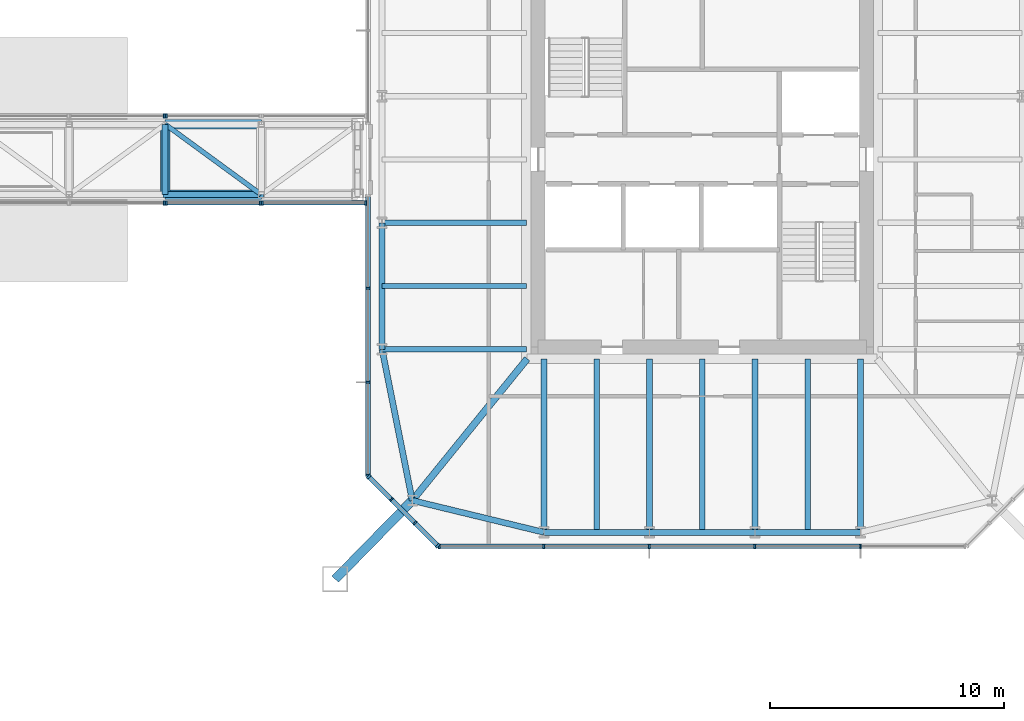
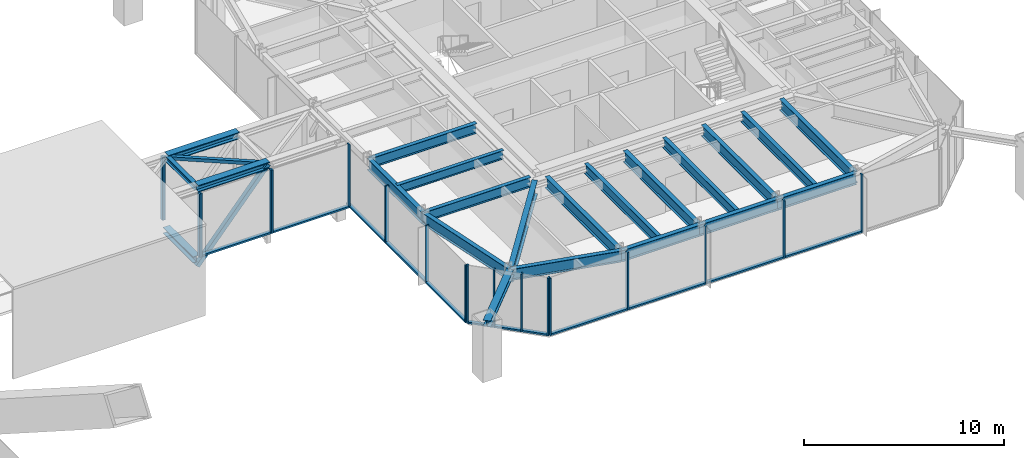
# One storey, part 10 of 28: 36 members, 19 beams, 8 elements without a shape of their own.
"""IFC4 building model written with IfcOpenShell, lengths in metres."""

import ifcopenshell
import ifcopenshell.guid

model = None  # the IFC model being written
_history = None  # IfcOwnerHistory: only IFC2X3 demands one
_inside = {}  # id of a spatial element -> (the spatial element, [elements in it])
_under = {}  # id of a project, library or spatial element -> (it, [spatial elements below it])
_declared = {}  # id of a project -> (the project, [libraries it declares])
_typed = {}  # id of a type object -> (the type object, [elements of that type])
_made_of = {}  # id of a material, layer set ... -> (it, [elements and type objects made of it])


def new_model(schema):
    """Start an empty IFC model of exactly this schema.

    Asked for "IFC4X3", IfcOpenShell would pick the latest addendum, in which some entities
    have other attributes; the version numbers below select the first issue.
    IFC2X3 requires an IfcOwnerHistory on every rooted entity: one is made here for all.
    """
    global model, _history
    if schema == "IFC4X3":
        model = ifcopenshell.file(schema_version=(4, 3, 0, 0))
    else:
        model = ifcopenshell.file(schema=schema)
    _inside.clear()
    _under.clear()
    _declared.clear()
    _typed.clear()
    _made_of.clear()
    _history = None
    if model.schema == "IFC2X3":
        org = make("IfcOrganization", Name="unknown")
        user = make(
            "IfcPersonAndOrganization",
            ThePerson=make("IfcPerson", FamilyName="unknown"),
            TheOrganization=org,
        )
        app = make(
            "IfcApplication",
            ApplicationDeveloper=org,
            Version="unknown",
            ApplicationFullName="unknown",
            ApplicationIdentifier="unknown",
        )
        _history = make(
            "IfcOwnerHistory",
            OwningUser=user,
            OwningApplication=app,
            ChangeAction="ADDED",
            CreationDate=0,
        )
    return model


def make(cls, **values):
    """One entity of the class cls with the attributes given. An attribute that is None is left unset."""
    return model.create_entity(
        cls, **{name: value for name, value in values.items() if value is not None}
    )


def rooted(cls, **values):
    """An entity with a GlobalId (a new one), such as an element, a storey or a relation."""
    return make(cls, GlobalId=ifcopenshell.guid.new(), OwnerHistory=_history, **values)


def si_unit(unit_type, name, prefix=None):
    """IfcSIUnit, for example si_unit("LENGTHUNIT", "METRE", prefix="MILLI")."""
    return make("IfcSIUnit", UnitType=unit_type, Prefix=prefix, Name=name)


def assignment(units):
    """IfcUnitAssignment: the units of a project."""
    return None if units is None else make("IfcUnitAssignment", Units=units)


def point(xyz):
    """IfcCartesianPoint."""
    return None if xyz is None else make("IfcCartesianPoint", Coordinates=xyz)


def direction(xyz):
    """IfcDirection."""
    return None if xyz is None else make("IfcDirection", DirectionRatios=xyz)


def frame(location, z_axis=None, x_axis=None):
    """IfcAxis2Placement3D, a coordinate frame: its origin and axes. An axis left out is left unset."""
    return make(
        "IfcAxis2Placement3D",
        Location=point(location),
        Axis=direction(z_axis),
        RefDirection=direction(x_axis),
    )


def frame_2d(location, x_axis=None):
    """IfcAxis2Placement2D, a coordinate frame in the plane: its origin and x axis."""
    return make(
        "IfcAxis2Placement2D", Location=point(location), RefDirection=direction(x_axis)
    )


def origin():
    """The frame at (0, 0, 0) with its axes left unset."""
    return frame((0.0, 0.0, 0.0))


def origin_2d():
    """The frame at (0, 0) in the plane with its x axis left unset."""
    return frame_2d((0.0, 0.0))


def place(relative_to, where):
    """IfcLocalPlacement: puts the frame where relative to a parent placement (None: the world)."""
    return make(
        "IfcLocalPlacement", PlacementRelTo=relative_to, RelativePlacement=where
    )


def context(
    kind, dimensions, precision=None, world=None, true_north=None, identifier=None
):
    """IfcGeometricRepresentationContext, for example the 3D "Model" context."""
    return make(
        "IfcGeometricRepresentationContext",
        ContextIdentifier=identifier,
        ContextType=kind,
        CoordinateSpaceDimension=dimensions,
        Precision=precision,
        WorldCoordinateSystem=world,
        TrueNorth=true_north,
    )


def subcontext(parent, identifier, kind, view, scale=None):
    """IfcGeometricRepresentationSubContext, for example "Body" below "Model"."""
    return make(
        "IfcGeometricRepresentationSubContext",
        ContextIdentifier=identifier,
        ContextType=kind,
        ParentContext=parent,
        TargetScale=scale,
        TargetView=view,
    )


def project(units=None, contexts=None):
    """IfcProject with its units and contexts."""
    return rooted(
        "IfcProject",
        Name="project",
        RepresentationContexts=contexts,
        UnitsInContext=assignment(units),
    )


def spatial(cls, under=None, at=None, **own):
    """A site, building, storey or space (cls), placed at a placement, below another one or the project."""
    s = rooted(cls, ObjectPlacement=at, **own)
    if under is not None:
        _under.setdefault(under.id(), (under, []))[1].append(s)
    return s


def profile(cls, at=None, kind="AREA", **sizes):
    """A parametric profile (cls). Its sizes go by their IFC names, for example OverallWidth=200.0."""
    return make(cls, ProfileType=kind, Position=at, **sizes)


def rectangle(**sizes):
    """IfcRectangleProfileDef."""
    return profile("IfcRectangleProfileDef", **sizes)


def hollow_rectangle(**sizes):
    """IfcRectangleHollowProfileDef."""
    return profile("IfcRectangleHollowProfileDef", **sizes)


def i_section(**sizes):
    """IfcIShapeProfileDef."""
    return profile("IfcIShapeProfileDef", **sizes)


def extrude(swept, where, along, depth):
    """IfcExtrudedAreaSolid: the profile swept, set in the frame where, extruded along a direction by depth."""
    return make(
        "IfcExtrudedAreaSolid",
        SweptArea=swept,
        Position=where,
        ExtrudedDirection=direction(along),
        Depth=depth,
    )


def shape(context_of_items, identifier, shape_type, items):
    """IfcShapeRepresentation: the items that make up one representation, for example the "Body"."""
    return make(
        "IfcShapeRepresentation",
        ContextOfItems=context_of_items,
        RepresentationIdentifier=identifier,
        RepresentationType=shape_type,
        Items=items,
    )


def material(Name=None, Category=None):
    """IfcMaterial."""
    return make("IfcMaterial", Name=Name, Category=Category)


def material_profile(
    of_material, cross_section, Name=None, Category=None, Priority=None
):
    """IfcMaterialProfile: a cross section and its material."""
    return make(
        "IfcMaterialProfile",
        Name=Name,
        Material=of_material,
        Profile=cross_section,
        Priority=Priority,
        Category=Category,
    )


def profile_set(profiles, Name=None, composite=None):
    """IfcMaterialProfileSet."""
    return make(
        "IfcMaterialProfileSet",
        Name=Name,
        MaterialProfiles=profiles,
        CompositeProfile=composite,
    )


def made_of(thing, what):
    """Note that an element or type object is made of a material, layer set ...; save() writes the relation."""
    if what is not None:
        _made_of.setdefault(what.id(), (what, []))[1].append(thing)
    return thing


def type_object(cls, material=None, **own):
    """A type object (cls), such as IfcWallType, which elements share."""
    return made_of(rooted(cls, **own), material)


def element(
    cls,
    number,
    at=None,
    inside=None,
    cuts=None,
    type_object=None,
    material=None,
    context=None,
    identifier="Body",
    shape_type=None,
    held_by="IfcProductDefinitionShape",
    body=None,
    shapes=None,
    **own,
):
    """One element of the class cls, such as IfcWall. Its Tag is "e" and its number.

    at: its placement. inside: the storey or other place that contains it. cuts: it is an
    opening in that element (IfcRelVoidsElement). A single representation is given by context,
    identifier, shape_type and body (its items); several are given by shapes. held_by: the class
    of the entity that holds the representations. save() writes the other relations.
    """
    e = rooted(cls, Tag="e%d" % number, ObjectPlacement=at, **own)
    if body is not None:
        shapes = [shape(context, identifier, shape_type, body)]
    if shapes is not None:
        e.Representation = make(held_by, Representations=shapes)
    if inside is not None:
        _inside.setdefault(inside.id(), (inside, []))[1].append(e)
    if cuts is not None:
        rooted(
            "IfcRelVoidsElement", RelatingBuildingElement=cuts, RelatedOpeningElement=e
        )
    if type_object is not None:
        _typed.setdefault(type_object.id(), (type_object, []))[1].append(e)
    return made_of(e, material)


def aggregate(whole, parts):
    """IfcRelAggregates: a whole, such as a stair, and the parts it consists of."""
    return rooted("IfcRelAggregates", RelatingObject=whole, RelatedObjects=parts)


def save(model, path):
    """Write the relations noted so far, then the file.

    IfcRelAggregates (storeys below a building ...), IfcRelContainedInSpatialStructure (elements
    in a storey), IfcRelDefinesByType, IfcRelAssociatesMaterial and IfcRelDeclares: one each for
    every whole, place, type object, material and project.
    """
    for whole, parts in _under.values():
        aggregate(whole, parts)
    for where, things in _inside.values():
        rooted(
            "IfcRelContainedInSpatialStructure",
            RelatedElements=things,
            RelatingStructure=where,
        )
    for kind, things in _typed.values():
        rooted("IfcRelDefinesByType", RelatedObjects=things, RelatingType=kind)
    for what, things in _made_of.values():
        rooted("IfcRelAssociatesMaterial", RelatedObjects=things, RelatingMaterial=what)
    for by, libraries in _declared.values():
        rooted("IfcRelDeclares", RelatingContext=by, RelatedDefinitions=libraries)
    model.write(path)


model = new_model("IFC4")

# Units and contexts
model_context = context("Model", 3, precision=1e-05, world=origin(), true_north=direction((0.0, 1.0)))
body_context = subcontext(model_context, "Body", "Model", "MODEL_VIEW")
ifc_project = project(units=[si_unit("LENGTHUNIT", "METRE"), si_unit("AREAUNIT", "SQUARE_METRE"), si_unit("VOLUMEUNIT", "CUBIC_METRE"), si_unit("PLANEANGLEUNIT", "RADIAN"), si_unit("MASSUNIT", "GRAM", prefix="KILO")], contexts=[model_context])

# Site, building, storey
site_placement = place(None, origin())
site = spatial("IfcSite", under=ifc_project, at=site_placement, CompositionType="ELEMENT")
building_placement = place(site_placement, origin())
building = spatial("IfcBuilding", under=site, at=building_placement, Name="Iwan Alto Co-Living Towers", CompositionType="ELEMENT")
storey_placement = place(building_placement, frame((0.0, 0.0, 98.0)))
storey = spatial("IfcBuildingStorey", under=building, at=storey_placement, Name="L26", CompositionType="ELEMENT", Elevation=98.0)

# Beams
ifc_material_1 = material(Name="Steel ASTM A992 Gr 50", Category="steel")
ifc_material_profile_1 = material_profile(ifc_material_1, i_section(OverallWidth=0.393798828125, OverallDepth=0.3759765625, WebThickness=0.017333984375, FlangeThickness=0.027587890625, at=origin_2d()), Name="W14X145")
ifc_profile_set_1 = profile_set([ifc_material_profile_1], Name="Steel ASTM A992 Gr 50")
beam_type_1 = type_object("IfcBeamType", Name="BRIDGE FLOOR BEAM W14X145", PredefinedType="BEAM", material=ifc_profile_set_1)
beam_1_placement = place(storey_placement, frame((40.10009765625, -1.5, -0.387939453125), z_axis=(0.0, 1.0, 0.0), x_axis=(-1.0, 0.0, 0.0)))
element("IfcBeam", 1, at=beam_1_placement, inside=storey, type_object=beam_type_1, Name="BR1 floor beam 3", PredefinedType="BEAM", context=body_context, shape_type="SweptSolid", body=[
    extrude(i_section(OverallWidth=0.393798828125, OverallDepth=0.3759765625, WebThickness=0.017333984375, FlangeThickness=0.027587890625, at=origin_2d()), origin(), (0.0, 0.0, 1.0), 3.0),
])
ifc_material_2 = material(Name="Steel ASTM A992 Gr 50", Category="steel")
ifc_material_profile_2 = material_profile(ifc_material_2, i_section(OverallWidth=0.25390625, OverallDepth=0.307373046875, WebThickness=0.0087890625, FlangeThickness=0.0146484375, at=origin_2d()), Name="W12X53")
ifc_profile_set_2 = profile_set([ifc_material_profile_2], Name="Steel ASTM A992 Gr 50")
beam_type_2 = type_object("IfcBeamType", Name="BRIDGE ROOF BEAM W12X53", PredefinedType="BEAM", material=ifc_profile_set_2)
beam_2_placement = place(storey_placement, frame((40.10009765625, -1.5, 4.0), z_axis=(0.0, 1.0, 0.0), x_axis=(-1.0, 0.0, 0.0)))
element("IfcBeam", 2, at=beam_2_placement, inside=storey, type_object=beam_type_2, Name="BR1 roof beam 3", PredefinedType="BEAM", context=body_context, shape_type="SweptSolid", body=[
    extrude(i_section(OverallWidth=0.25390625, OverallDepth=0.307373046875, WebThickness=0.0087890625, FlangeThickness=0.0146484375, at=origin_2d()), origin(), (0.0, 0.0, 1.0), 3.0),
])

# Members
ifc_material_3 = material(Name="Steel ASTM A500 Gr C", Category="steel")
ifc_material_profile_3 = material_profile(ifc_material_3, hollow_rectangle(XDim=0.203125, YDim=0.203125, WallThickness=0.01171875, at=origin_2d()), Name="HSS8X8X1/2")
ifc_profile_set_3 = profile_set([ifc_material_profile_3], Name="Steel ASTM A500 Gr C")
member_type_1 = type_object("IfcMemberType", Name="BRIDGE TOP LATERAL BRACE HSS8X8X1/2", PredefinedType="BRACE", material=ifc_profile_set_3)
member_1_placement = place(storey_placement, frame((40.10009765625, 1.5, 4.0), z_axis=(0.807020271008, -0.590523735494, 0.0), x_axis=(0.590523735494, 0.807020271008, 0.0)))
element("IfcMember", 3, at=member_1_placement, inside=storey, type_object=member_type_1, Name="BR1 top lateral brace 3", PredefinedType="BRACE", context=body_context, shape_type="SweptSolid", body=[
    extrude(hollow_rectangle(XDim=0.203125, YDim=0.203125, WallThickness=0.01171875, at=origin_2d()), origin(), (0.0, 0.0, 1.0), 5.080322265625),
])
ifc_material_4 = material(Name="Steel ASTM A992 Gr 50", Category="steel")
ifc_material_profile_4 = material_profile(ifc_material_4, i_section(OverallWidth=0.40380859375, OverallDepth=0.406494140625, WebThickness=0.027099609375, FlangeThickness=0.043701171875, at=origin_2d()), Name="W14X233")
ifc_profile_set_4 = profile_set([ifc_material_profile_4], Name="Steel ASTM A992 Gr 50")
member_type_2 = type_object("IfcMemberType", Name="BRIDGE TRUSS CHORD W14X233", PredefinedType="CHORD", material=ifc_profile_set_4)
for number, where, z_axis, x_axis, name in (
    (4, (40.10009765625, -1.5, 4.0), (1.0, 0.0, 0.0), (0.0, 1.0, 0.0), "BR1 truss S top chord 3"),
    (5, (40.10009765625, 1.5, 4.0), (1.0, 0.0, 0.0), (0.0, 1.0, 0.0), "BR1 truss N top chord 3"),
):
    element("IfcMember", number, at=place(storey_placement, frame(where, z_axis=z_axis, x_axis=x_axis)), inside=storey, type_object=member_type_2, Name=name, PredefinedType="CHORD", context=body_context, shape_type="SweptSolid", body=[
        extrude(i_section(OverallWidth=0.40380859375, OverallDepth=0.406494140625, WebThickness=0.027099609375, FlangeThickness=0.043701171875, at=origin_2d()), origin(), (0.0, 0.0, 1.0), 4.099853515625),
    ])
ifc_material_5 = material(Name="Steel ASTM A500 Gr C", Category="steel")
ifc_material_profile_5 = material_profile(ifc_material_5, hollow_rectangle(XDim=0.25390625, YDim=0.25390625, WallThickness=0.01171875, at=origin_2d()), Name="HSS10X10X1/2")
ifc_profile_set_5 = profile_set([ifc_material_profile_5], Name="Steel ASTM A500 Gr C")
member_type_3 = type_object("IfcMemberType", Name="BRIDGE TRUSS WEB HSS10X10X1/2", PredefinedType="BRACE", material=ifc_profile_set_5)
member_2_placement = place(storey_placement, frame((40.10009765625, -1.5, -0.779052734375), z_axis=(0.651113814296, 0.0, 0.75898010569), x_axis=(0.0, 1.0, 0.0)))
element("IfcMember", 6, at=member_2_placement, inside=storey, type_object=member_type_3, Name="BR1 truss S diagonal 3", PredefinedType="BRACE", context=body_context, shape_type="SweptSolid", body=[
    extrude(hollow_rectangle(XDim=0.25390625, YDim=0.25390625, WallThickness=0.01171875, at=origin_2d()), origin(), (0.0, 0.0, 1.0), 6.296630859375),
])

# Curtain wall, members
ifc_material_6 = material(Name="Bronze aluminium unitised frame", Category="aluminium")
curtain_wall_type_1 = type_object("IfcCurtainWallType", Name="CURTAIN WALL CW-C", PredefinedType="NOTDEFINED", material=ifc_material_6)
curtain_wall_1_placement = place(storey_placement, origin())
curtain_wall_1 = element("IfcCurtainWall", 7, at=curtain_wall_1_placement, inside=storey, type_object=curtain_wall_type_1, Name="T2 curtain wall S L26", PredefinedType="NOTDEFINED")
ifc_material_7 = material(Name="Aluminium 6063-T6 bronze anodised", Category="aluminium")
ifc_material_profile_6 = material_profile(ifc_material_7, rectangle(XDim=0.199951171875, YDim=0.080078125, at=origin_2d()), Name="AL 80X200")
ifc_profile_set_6 = profile_set([ifc_material_profile_6], Name="Aluminium 6063-T6 bronze anodised")
member_type_4 = type_object("IfcMemberType", Name="CW-C MULLION 80X200", PredefinedType="MULLION", material=ifc_profile_set_6)
member_3_placement = place(storey_placement, frame((51.7900390625, -16.5, 0.0), z_axis=(0.0, 0.0, 1.0), x_axis=(0.0, 1.0, 0.0)))
member_3 = element("IfcMember", 8, at=member_3_placement, type_object=member_type_4, Name="CW-C mullion 1", PredefinedType="MULLION", context=body_context, shape_type="SweptSolid", body=[
    extrude(rectangle(XDim=0.199951171875, YDim=0.080078125, at=origin_2d()), origin(), (0.0, 0.0, 1.0), 3.5),
])
member_4_placement = place(storey_placement, frame((56.25, -16.5, 0.0), z_axis=(0.0, 0.0, 1.0), x_axis=(0.0, 1.0, 0.0)))
member_4 = element("IfcMember", 9, at=member_4_placement, type_object=member_type_4, Name="CW-C mullion 2", PredefinedType="MULLION", context=body_context, shape_type="SweptSolid", body=[
    extrude(rectangle(XDim=0.199951171875, YDim=0.080078125, at=origin_2d()), origin(), (0.0, 0.0, 1.0), 3.5),
])
member_5_placement = place(storey_placement, frame((60.75, -16.5, 0.0), z_axis=(0.0, 0.0, 1.0), x_axis=(0.0, 1.0, 0.0)))
member_5 = element("IfcMember", 10, at=member_5_placement, type_object=member_type_4, Name="CW-C mullion 3", PredefinedType="MULLION", context=body_context, shape_type="SweptSolid", body=[
    extrude(rectangle(XDim=0.199951171875, YDim=0.080078125, at=origin_2d()), origin(), (0.0, 0.0, 1.0), 3.5),
])
member_6_placement = place(storey_placement, frame((65.25, -16.5, 0.0), z_axis=(0.0, 0.0, 1.0), x_axis=(0.0, 1.0, 0.0)))
member_6 = element("IfcMember", 11, at=member_6_placement, type_object=member_type_4, Name="CW-C mullion 4", PredefinedType="MULLION", context=body_context, shape_type="SweptSolid", body=[
    extrude(rectangle(XDim=0.199951171875, YDim=0.080078125, at=origin_2d()), origin(), (0.0, 0.0, 1.0), 3.5),
])
member_7_placement = place(storey_placement, frame((69.75, -16.5, 0.0), z_axis=(0.0, 0.0, 1.0), x_axis=(0.0, 1.0, 0.0)))
member_7 = element("IfcMember", 12, at=member_7_placement, type_object=member_type_4, Name="CW-C mullion 5", PredefinedType="MULLION", context=body_context, shape_type="SweptSolid", body=[
    extrude(rectangle(XDim=0.199951171875, YDim=0.080078125, at=origin_2d()), origin(), (0.0, 0.0, 1.0), 3.5),
])

curtain_wall_2_placement = place(storey_placement, origin())
curtain_wall_2 = element("IfcCurtainWall", 13, at=curtain_wall_2_placement, inside=storey, type_object=curtain_wall_type_1, Name="T2 curtain wall W L26 part 2", PredefinedType="NOTDEFINED")
member_8_placement = place(storey_placement, frame((48.75, -5.5, 0.0), z_axis=(0.0, 0.0, 1.0), x_axis=(1.0, 0.0, 0.0)))
member_8 = element("IfcMember", 14, at=member_8_placement, type_object=member_type_4, Name="CW-C mullion 2", PredefinedType="MULLION", context=body_context, shape_type="SweptSolid", body=[
    extrude(rectangle(XDim=0.199951171875, YDim=0.080078125, at=origin_2d()), origin(), (0.0, 0.0, 1.0), 3.5),
])
member_9_placement = place(storey_placement, frame((48.75, -9.5, 0.0), z_axis=(0.0, 0.0, 1.0), x_axis=(1.0, 0.0, 0.0)))
member_9 = element("IfcMember", 15, at=member_9_placement, type_object=member_type_4, Name="CW-C mullion 3", PredefinedType="MULLION", context=body_context, shape_type="SweptSolid", body=[
    extrude(rectangle(XDim=0.199951171875, YDim=0.080078125, at=origin_2d()), origin(), (0.0, 0.0, 1.0), 3.5),
])
member_10_placement = place(storey_placement, frame((48.75, -13.4599609375, 0.0), z_axis=(0.0, 0.0, 1.0), x_axis=(1.0, 0.0, 0.0)))
member_10 = element("IfcMember", 16, at=member_10_placement, type_object=member_type_4, Name="CW-C mullion 4", PredefinedType="MULLION", context=body_context, shape_type="SweptSolid", body=[
    extrude(rectangle(XDim=0.199951171875, YDim=0.080078125, at=origin_2d()), origin(), (0.0, 0.0, 1.0), 3.5),
])

# Member
ifc_material_8 = material(Name="Aluminium 6063-T6 bronze anodised", Category="aluminium")
ifc_material_profile_7 = material_profile(ifc_material_8, rectangle(XDim=0.199951171875, YDim=0.10009765625, at=origin_2d()), Name="AL 200X100")
ifc_profile_set_7 = profile_set([ifc_material_profile_7], Name="Aluminium 6063-T6 bronze anodised")
member_type_5 = type_object("IfcMemberType", Name="CW-C TRANSOM 200X100", PredefinedType="USERDEFINED", material=ifc_profile_set_7)
member_11_placement = place(storey_placement, frame((51.830078125, -16.5, 0.050048828125), z_axis=(1.0, 0.0, 0.0), x_axis=(0.0, 1.0, 0.0)))
member_11 = element("IfcMember", 17, at=member_11_placement, type_object=member_type_5, Name="CW-C transom 1.1", ObjectType="TRANSOM", PredefinedType="USERDEFINED", context=body_context, shape_type="SweptSolid", body=[
    extrude(rectangle(XDim=0.199951171875, YDim=0.10009765625, at=origin_2d()), origin(), (0.0, 0.0, 1.0), 4.3798828125),
])

member_12_placement = place(storey_placement, frame((56.2900390625, -16.5, 0.050048828125), z_axis=(1.0, 0.0, 0.0), x_axis=(0.0, 1.0, 0.0)))
member_12 = element("IfcMember", 18, at=member_12_placement, type_object=member_type_5, Name="CW-C transom 2.1", ObjectType="TRANSOM", PredefinedType="USERDEFINED", context=body_context, shape_type="SweptSolid", body=[
    extrude(rectangle(XDim=0.199951171875, YDim=0.10009765625, at=origin_2d()), origin(), (0.0, 0.0, 1.0), 4.419921875),
])

member_13_placement = place(storey_placement, frame((60.7900390625, -16.5, 0.050048828125), z_axis=(1.0, 0.0, 0.0), x_axis=(0.0, 1.0, 0.0)))
member_13 = element("IfcMember", 19, at=member_13_placement, type_object=member_type_5, Name="CW-C transom 3.1", ObjectType="TRANSOM", PredefinedType="USERDEFINED", context=body_context, shape_type="SweptSolid", body=[
    extrude(rectangle(XDim=0.199951171875, YDim=0.10009765625, at=origin_2d()), origin(), (0.0, 0.0, 1.0), 4.419921875),
])

member_14_placement = place(storey_placement, frame((65.2900390625, -16.5, 0.050048828125), z_axis=(1.0, 0.0, 0.0), x_axis=(0.0, 1.0, 0.0)))
member_14 = element("IfcMember", 20, at=member_14_placement, type_object=member_type_5, Name="CW-C transom 4.1", ObjectType="TRANSOM", PredefinedType="USERDEFINED", context=body_context, shape_type="SweptSolid", body=[
    extrude(rectangle(XDim=0.199951171875, YDim=0.10009765625, at=origin_2d()), origin(), (0.0, 0.0, 1.0), 4.419921875),
])

aggregate(curtain_wall_1, [member_3, member_4, member_5, member_6, member_7, member_11, member_12, member_13, member_14])

member_15_placement = place(storey_placement, frame((48.75, -1.580078125, 0.050048828125), z_axis=(0.0, -1.0, 0.0), x_axis=(1.0, 0.0, 0.0)))
member_15 = element("IfcMember", 21, at=member_15_placement, type_object=member_type_5, Name="CW-C transom 1.1", ObjectType="TRANSOM", PredefinedType="USERDEFINED", context=body_context, shape_type="SweptSolid", body=[
    extrude(rectangle(XDim=0.199951171875, YDim=0.10009765625, at=origin_2d()), origin(), (0.0, 0.0, 1.0), 3.8798828125),
])

member_16_placement = place(storey_placement, frame((48.75, -5.5400390625, 0.050048828125), z_axis=(0.0, -1.0, 0.0), x_axis=(1.0, 0.0, 0.0)))
member_16 = element("IfcMember", 22, at=member_16_placement, type_object=member_type_5, Name="CW-C transom 2.1", ObjectType="TRANSOM", PredefinedType="USERDEFINED", context=body_context, shape_type="SweptSolid", body=[
    extrude(rectangle(XDim=0.199951171875, YDim=0.10009765625, at=origin_2d()), origin(), (0.0, 0.0, 1.0), 3.919921875),
])

member_17_placement = place(storey_placement, frame((48.75, -9.5400390625, 0.050048828125), z_axis=(0.0, -1.0, 0.0), x_axis=(1.0, 0.0, 0.0)))
member_17 = element("IfcMember", 23, at=member_17_placement, type_object=member_type_5, Name="CW-C transom 3.1", ObjectType="TRANSOM", PredefinedType="USERDEFINED", context=body_context, shape_type="SweptSolid", body=[
    extrude(rectangle(XDim=0.199951171875, YDim=0.10009765625, at=origin_2d()), origin(), (0.0, 0.0, 1.0), 3.8798828125),
])

aggregate(curtain_wall_2, [member_8, member_9, member_10, member_15, member_16, member_17])

# Curtain wall, members
ifc_material_9 = material(Name="Bronze aluminium unitised frame", Category="aluminium")
curtain_wall_type_2 = type_object("IfcCurtainWallType", Name="CURTAIN WALL CW-D", PredefinedType="NOTDEFINED", material=ifc_material_9)
curtain_wall_3_placement = place(storey_placement, origin())
curtain_wall_3 = element("IfcCurtainWall", 24, at=curtain_wall_3_placement, inside=storey, type_object=curtain_wall_type_2, Name="T2 chamfer curtain wall SW L26", PredefinedType="NOTDEFINED")
ifc_material_10 = material(Name="Aluminium 6063-T6 bronze anodised", Category="aluminium")
ifc_material_profile_8 = material_profile(ifc_material_10, rectangle(XDim=0.199951171875, YDim=0.080078125, at=origin_2d()), Name="AL 80X200")
ifc_profile_set_8 = profile_set([ifc_material_profile_8], Name="Aluminium 6063-T6 bronze anodised")
member_type_6 = type_object("IfcMemberType", Name="CW-D MULLION 80X200", PredefinedType="MULLION", material=ifc_profile_set_8)
member_18_placement = place(storey_placement, frame((48.7783203125, -13.5283203125, 0.0), z_axis=(0.0, 0.0, 1.0), x_axis=(0.707106781187, 0.707106781187, 0.0)))
member_18 = element("IfcMember", 25, at=member_18_placement, type_object=member_type_6, Name="CW-D mullion 1", PredefinedType="MULLION", context=body_context, shape_type="SweptSolid", body=[
    extrude(rectangle(XDim=0.199951171875, YDim=0.080078125, at=origin_2d()), origin(), (0.0, 0.0, 1.0), 3.5),
])
member_19_placement = place(storey_placement, frame((49.75, -14.5, 0.0), z_axis=(0.0, 0.0, 1.0), x_axis=(0.707106781187, 0.707106781187, 0.0)))
member_19 = element("IfcMember", 26, at=member_19_placement, type_object=member_type_6, Name="CW-D mullion 2", PredefinedType="MULLION", context=body_context, shape_type="SweptSolid", body=[
    extrude(rectangle(XDim=0.199951171875, YDim=0.080078125, at=origin_2d()), origin(), (0.0, 0.0, 1.0), 3.5),
])
member_20_placement = place(storey_placement, frame((50.75, -15.5, 0.0), z_axis=(0.0, 0.0, 1.0), x_axis=(0.707106781187, 0.707106781187, 0.0)))
member_20 = element("IfcMember", 27, at=member_20_placement, type_object=member_type_6, Name="CW-D mullion 3", PredefinedType="MULLION", context=body_context, shape_type="SweptSolid", body=[
    extrude(rectangle(XDim=0.199951171875, YDim=0.080078125, at=origin_2d()), origin(), (0.0, 0.0, 1.0), 3.5),
])
member_21_placement = place(storey_placement, frame((51.7216796875, -16.4716796875, 0.0), z_axis=(0.0, 0.0, 1.0), x_axis=(0.707106781187, 0.707106781187, 0.0)))
member_21 = element("IfcMember", 28, at=member_21_placement, type_object=member_type_6, Name="CW-D mullion 4", PredefinedType="MULLION", context=body_context, shape_type="SweptSolid", body=[
    extrude(rectangle(XDim=0.199951171875, YDim=0.080078125, at=origin_2d()), origin(), (0.0, 0.0, 1.0), 3.5),
])
ifc_material_11 = material(Name="Aluminium 6063-T6 bronze anodised", Category="aluminium")
ifc_material_profile_9 = material_profile(ifc_material_11, rectangle(XDim=0.199951171875, YDim=0.10009765625, at=origin_2d()), Name="AL 200X100")
ifc_profile_set_9 = profile_set([ifc_material_profile_9], Name="Aluminium 6063-T6 bronze anodised")
member_type_7 = type_object("IfcMemberType", Name="CW-D TRANSOM 200X100", PredefinedType="USERDEFINED", material=ifc_profile_set_9)
member_22_placement = place(storey_placement, frame((48.806640625, -13.556640625, 0.050048828125), z_axis=(0.707106781187, -0.707106781187, 0.0), x_axis=(0.707106781187, 0.707106781187, 0.0)))
member_22 = element("IfcMember", 29, at=member_22_placement, type_object=member_type_7, Name="CW-D transom 1.1", ObjectType="TRANSOM", PredefinedType="USERDEFINED", context=body_context, shape_type="SweptSolid", body=[
    extrude(rectangle(XDim=0.199951171875, YDim=0.10009765625, at=origin_2d()), origin(), (0.0, 0.0, 1.0), 1.2939453125),
])
member_23_placement = place(storey_placement, frame((49.7783203125, -14.5283203125, 0.050048828125), z_axis=(0.707106781187, -0.707106781187, 0.0), x_axis=(0.707106781187, 0.707106781187, 0.0)))
member_23 = element("IfcMember", 30, at=member_23_placement, type_object=member_type_7, Name="CW-D transom 2.1", ObjectType="TRANSOM", PredefinedType="USERDEFINED", context=body_context, shape_type="SweptSolid", body=[
    extrude(rectangle(XDim=0.199951171875, YDim=0.10009765625, at=origin_2d()), origin(), (0.0, 0.0, 1.0), 1.334228515625),
])
member_24_placement = place(storey_placement, frame((50.7783203125, -15.5283203125, 0.050048828125), z_axis=(0.707106781187, -0.707106781187, 0.0), x_axis=(0.707106781187, 0.707106781187, 0.0)))
member_24 = element("IfcMember", 31, at=member_24_placement, type_object=member_type_7, Name="CW-D transom 3.1", ObjectType="TRANSOM", PredefinedType="USERDEFINED", context=body_context, shape_type="SweptSolid", body=[
    extrude(rectangle(XDim=0.199951171875, YDim=0.10009765625, at=origin_2d()), origin(), (0.0, 0.0, 1.0), 1.2939453125),
])
aggregate(curtain_wall_3, [member_18, member_19, member_20, member_21, member_22, member_23, member_24])

# Curtain wall, member
ifc_material_12 = material(Name="Bronze aluminium stick frame", Category="aluminium")
curtain_wall_type_3 = type_object("IfcCurtainWallType", Name="CURTAIN WALL CW-F", PredefinedType="NOTDEFINED", material=ifc_material_12)
curtain_wall_4_placement = place(storey_placement, origin())
curtain_wall_4 = element("IfcCurtainWall", 32, at=curtain_wall_4_placement, inside=storey, type_object=curtain_wall_type_3, Name="Skybridge BR1 glazing S 2", PredefinedType="NOTDEFINED")
ifc_material_13 = material(Name="Aluminium 6063-T6 bronze anodised", Category="aluminium")
ifc_material_profile_10 = material_profile(ifc_material_13, rectangle(XDim=0.199951171875, YDim=0.080078125, at=origin_2d()), Name="AL 80X200")
ifc_profile_set_10 = profile_set([ifc_material_profile_10], Name="Aluminium 6063-T6 bronze anodised")
member_type_8 = type_object("IfcMemberType", Name="CW-F MULLION 80X200", PredefinedType="MULLION", material=ifc_profile_set_10)
member_25_placement = place(storey_placement, frame((40.06005859375, -1.85009765625, 0.0), z_axis=(0.0, 0.0, 1.0), x_axis=(0.0, 1.0, 0.0)))
member_25 = element("IfcMember", 33, at=member_25_placement, type_object=member_type_8, Name="CW-F mullion 2", PredefinedType="MULLION", context=body_context, shape_type="SweptSolid", body=[
    extrude(rectangle(XDim=0.199951171875, YDim=0.080078125, at=origin_2d()), origin(), (0.0, 0.0, 1.0), 3.85009765625),
])
aggregate(curtain_wall_4, [member_25])

# Curtain wall, members
curtain_wall_5_placement = place(storey_placement, origin())
curtain_wall_5 = element("IfcCurtainWall", 34, at=curtain_wall_5_placement, inside=storey, type_object=curtain_wall_type_3, Name="Skybridge BR1 glazing S 3", PredefinedType="NOTDEFINED")
member_26_placement = place(storey_placement, frame((40.139892578125, -1.85009765625, 0.0), z_axis=(0.0, 0.0, 1.0), x_axis=(0.0, 1.0, 0.0)))
member_26 = element("IfcMember", 35, at=member_26_placement, type_object=member_type_8, Name="CW-F mullion 1", PredefinedType="MULLION", context=body_context, shape_type="SweptSolid", body=[
    extrude(rectangle(XDim=0.199951171875, YDim=0.080078125, at=origin_2d()), origin(), (0.0, 0.0, 1.0), 3.85009765625),
])
member_27_placement = place(storey_placement, frame((44.159912109375, -1.85009765625, 0.0), z_axis=(0.0, 0.0, 1.0), x_axis=(0.0, 1.0, 0.0)))
member_27 = element("IfcMember", 36, at=member_27_placement, type_object=member_type_8, Name="CW-F mullion 2", PredefinedType="MULLION", context=body_context, shape_type="SweptSolid", body=[
    extrude(rectangle(XDim=0.199951171875, YDim=0.080078125, at=origin_2d()), origin(), (0.0, 0.0, 1.0), 3.85009765625),
])

curtain_wall_6_placement = place(storey_placement, origin())
curtain_wall_6 = element("IfcCurtainWall", 37, at=curtain_wall_6_placement, inside=storey, type_object=curtain_wall_type_3, Name="Skybridge BR1 glazing S 4", PredefinedType="NOTDEFINED")
member_28_placement = place(storey_placement, frame((44.239990234375, -1.85009765625, 0.0), z_axis=(0.0, 0.0, 1.0), x_axis=(0.0, 1.0, 0.0)))
member_28 = element("IfcMember", 38, at=member_28_placement, type_object=member_type_8, Name="CW-F mullion 1", PredefinedType="MULLION", context=body_context, shape_type="SweptSolid", body=[
    extrude(rectangle(XDim=0.199951171875, YDim=0.080078125, at=origin_2d()), origin(), (0.0, 0.0, 1.0), 3.85009765625),
])
member_29_placement = place(storey_placement, frame((48.659912109375, -1.85009765625, 0.0), z_axis=(0.0, 0.0, 1.0), x_axis=(0.0, 1.0, 0.0)))
member_29 = element("IfcMember", 39, at=member_29_placement, type_object=member_type_8, Name="CW-F mullion 2", PredefinedType="MULLION", context=body_context, shape_type="SweptSolid", body=[
    extrude(rectangle(XDim=0.199951171875, YDim=0.080078125, at=origin_2d()), origin(), (0.0, 0.0, 1.0), 3.85009765625),
])

# Curtain wall, member
curtain_wall_7_placement = place(storey_placement, origin())
curtain_wall_7 = element("IfcCurtainWall", 40, at=curtain_wall_7_placement, inside=storey, type_object=curtain_wall_type_3, Name="Skybridge BR1 glazing N 2", PredefinedType="NOTDEFINED")
member_30_placement = place(storey_placement, frame((40.06005859375, 1.85009765625, 0.0), z_axis=(0.0, 0.0, 1.0), x_axis=(0.0, -1.0, 0.0)))
member_30 = element("IfcMember", 41, at=member_30_placement, type_object=member_type_8, Name="CW-F mullion 1", PredefinedType="MULLION", context=body_context, shape_type="SweptSolid", body=[
    extrude(rectangle(XDim=0.199951171875, YDim=0.080078125, at=origin_2d()), origin(), (0.0, 0.0, 1.0), 3.85009765625),
])
aggregate(curtain_wall_7, [member_30])

curtain_wall_8_placement = place(storey_placement, origin())
curtain_wall_8 = element("IfcCurtainWall", 42, at=curtain_wall_8_placement, inside=storey, type_object=curtain_wall_type_3, Name="Skybridge BR1 glazing N 3", PredefinedType="NOTDEFINED")
member_31_placement = place(storey_placement, frame((40.139892578125, 1.85009765625, 0.0), z_axis=(0.0, 0.0, 1.0), x_axis=(0.0, -1.0, 0.0)))
member_31 = element("IfcMember", 43, at=member_31_placement, type_object=member_type_8, Name="CW-F mullion 2", PredefinedType="MULLION", context=body_context, shape_type="SweptSolid", body=[
    extrude(rectangle(XDim=0.199951171875, YDim=0.080078125, at=origin_2d()), origin(), (0.0, 0.0, 1.0), 3.85009765625),
])
aggregate(curtain_wall_8, [member_31])

# Member
ifc_material_14 = material(Name="Aluminium 6063-T6 bronze anodised", Category="aluminium")
ifc_material_profile_11 = material_profile(ifc_material_14, rectangle(XDim=0.199951171875, YDim=0.10009765625, at=origin_2d()), Name="AL 200X100")
ifc_profile_set_11 = profile_set([ifc_material_profile_11], Name="Aluminium 6063-T6 bronze anodised")
member_type_9 = type_object("IfcMemberType", Name="CW-F TRANSOM 200X100", PredefinedType="USERDEFINED", material=ifc_profile_set_11)
member_32_placement = place(storey_placement, frame((40.179931640625, -1.85009765625, 0.050048828125), z_axis=(1.0, 0.0, 0.0), x_axis=(0.0, 1.0, 0.0)))
member_32 = element("IfcMember", 44, at=member_32_placement, type_object=member_type_9, Name="CW-F transom 1.1", ObjectType="TRANSOM", PredefinedType="USERDEFINED", context=body_context, shape_type="SweptSolid", body=[
    extrude(rectangle(XDim=0.199951171875, YDim=0.10009765625, at=origin_2d()), origin(), (0.0, 0.0, 1.0), 3.940185546875),
])

aggregate(curtain_wall_5, [member_26, member_27, member_32])

member_33_placement = place(storey_placement, frame((44.280029296875, -1.85009765625, 0.050048828125), z_axis=(1.0, 0.0, 0.0), x_axis=(0.0, 1.0, 0.0)))
member_33 = element("IfcMember", 45, at=member_33_placement, type_object=member_type_9, Name="CW-F transom 1.1", ObjectType="TRANSOM", PredefinedType="USERDEFINED", context=body_context, shape_type="SweptSolid", body=[
    extrude(rectangle(XDim=0.199951171875, YDim=0.10009765625, at=origin_2d()), origin(), (0.0, 0.0, 1.0), 4.340087890625),
])

aggregate(curtain_wall_6, [member_28, member_29, member_33])

# Beams
ifc_material_15 = material(Name="Steel ASTM A992 Gr 50", Category="steel")
ifc_material_profile_12 = material_profile(ifc_material_15, i_section(OverallWidth=0.2919921875, OverallDepth=0.8408203125, WebThickness=0.0146484375, FlangeThickness=0.021728515625, at=origin_2d()), Name="W33X130")
ifc_profile_set_12 = profile_set([ifc_material_profile_12], Name="Steel ASTM A992 Gr 50")
beam_type_3 = type_object("IfcBeamType", Name="T2 CORNER GIRDER W33X130", PredefinedType="BEAM", material=ifc_profile_set_12)
beam_3_placement = place(storey_placement, frame((50.638671875, -14.542724609375, 2.849609375), z_axis=(0.629783024592, 0.776771100091, 0.0), x_axis=(-0.776771100091, 0.629783024592, 0.0)))
element("IfcBeam", 46, at=beam_3_placement, inside=storey, type_object=beam_type_3, Name="T2 corner girder CSW L27", PredefinedType="BEAM", context=body_context, shape_type="SweptSolid", body=[
    extrude(i_section(OverallWidth=0.2919921875, OverallDepth=0.8408203125, WebThickness=0.0146484375, FlangeThickness=0.021728515625, at=origin_2d()), origin(), (0.0, 0.0, 1.0), 7.780029296875),
])
ifc_material_16 = material(Name="Steel ASTM A992 Gr 50", Category="steel")
ifc_material_profile_13 = material_profile(ifc_material_16, i_section(OverallWidth=0.25390625, OverallDepth=0.683349609375, WebThickness=0.012451171875, FlangeThickness=0.018798828125, at=origin_2d()), Name="W27X94")
ifc_profile_set_13 = profile_set([ifc_material_profile_13], Name="Steel ASTM A992 Gr 50")
beam_type_4 = type_object("IfcBeamType", Name="T2 EDGE BEAM W27X94", PredefinedType="BEAM", material=ifc_profile_set_13)
beam_4_placement = place(storey_placement, frame((50.638671875, -14.542724609375, 2.928466796875), z_axis=(0.971974673138, -0.235085590323, 0.0), x_axis=(0.235085590323, 0.971974673138, 0.0)))
element("IfcBeam", 47, at=beam_4_placement, inside=storey, type_object=beam_type_4, Name="T2 edge beam CSW L27", PredefinedType="BEAM", context=body_context, shape_type="SweptSolid", body=[
    extrude(i_section(OverallWidth=0.25390625, OverallDepth=0.683349609375, WebThickness=0.012451171875, FlangeThickness=0.018798828125, at=origin_2d()), origin(), (0.0, 0.0, 1.0), 5.773193359375),
])
for number, where, z_axis, x_axis, name in (
    (48, (56.25, -15.89990234375, 2.928466796875), (1.0, 0.0, 0.0), (0.0, 1.0, 0.0), "T2 edge beam S1 L27"),
    (49, (60.75, -15.89990234375, 2.928466796875), (1.0, 0.0, 0.0), (0.0, 1.0, 0.0), "T2 edge beam S2 L27"),
    (50, (65.25, -15.89990234375, 2.928466796875), (1.0, 0.0, 0.0), (0.0, 1.0, 0.0), "T2 edge beam S3 L27"),
):
    element("IfcBeam", number, at=place(storey_placement, frame(where, z_axis=z_axis, x_axis=x_axis)), inside=storey, type_object=beam_type_4, Name=name, PredefinedType="BEAM", context=body_context, shape_type="SweptSolid", body=[
        extrude(i_section(OverallWidth=0.25390625, OverallDepth=0.683349609375, WebThickness=0.012451171875, FlangeThickness=0.018798828125, at=origin_2d()), origin(), (0.0, 0.0, 1.0), 4.5),
    ])
beam_5_placement = place(storey_placement, frame((49.35009765625, -2.699951171875, 2.928466796875), z_axis=(0.0, -1.0, 0.0), x_axis=(1.0, 0.0, 0.0)))
element("IfcBeam", 51, at=beam_5_placement, inside=storey, type_object=beam_type_4, Name="T2 edge beam W3 L27", PredefinedType="BEAM", context=body_context, shape_type="SweptSolid", body=[
    extrude(i_section(OverallWidth=0.25390625, OverallDepth=0.683349609375, WebThickness=0.012451171875, FlangeThickness=0.018798828125, at=origin_2d()), origin(), (0.0, 0.0, 1.0), 5.400146484375),
])
beam_6_placement = place(storey_placement, frame((49.35009765625, -8.10009765625, 2.928466796875), z_axis=(0.196123281025, -0.980579246487, 0.0), x_axis=(0.980579246487, 0.196123281025, 0.0)))
element("IfcBeam", 52, at=beam_6_placement, inside=storey, type_object=beam_type_4, Name="T2 edge beam W4 L27", PredefinedType="BEAM", context=body_context, shape_type="SweptSolid", body=[
    extrude(i_section(OverallWidth=0.25390625, OverallDepth=0.683349609375, WebThickness=0.012451171875, FlangeThickness=0.018798828125, at=origin_2d()), origin(), (0.0, 0.0, 1.0), 6.5703125),
])

# Member
ifc_material_17 = material(Name="Steel ASTM A992 Gr 50", Category="steel")
ifc_material_profile_14 = material_profile(ifc_material_17, i_section(OverallWidth=0.393798828125, OverallDepth=0.3759765625, WebThickness=0.017333984375, FlangeThickness=0.027587890625, at=origin_2d()), Name="W14X145")
ifc_profile_set_14 = profile_set([ifc_material_profile_14], Name="Steel ASTM A992 Gr 50")
member_type_10 = type_object("IfcMemberType", Name="T2 MEGA COLUMN FLOOR TIE W14X145", PredefinedType="STRUT", material=ifc_profile_set_14)
member_34_placement = place(storey_placement, frame((47.35009765625, -17.89990234375, 3.08203125), z_axis=(0.699770096147, 0.714368121166, 0.0), x_axis=(-0.714368121166, 0.699770096147, 0.0)))
element("IfcMember", 53, at=member_34_placement, inside=storey, type_object=member_type_10, Name="T2 mega column floor tie SW L27", PredefinedType="STRUT", context=body_context, shape_type="SweptSolid", body=[
    extrude(i_section(OverallWidth=0.393798828125, OverallDepth=0.3759765625, WebThickness=0.017333984375, FlangeThickness=0.027587890625, at=origin_2d()), origin(), (0.0, 0.0, 1.0), 4.699462890625),
])

# Beams
ifc_material_18 = material(Name="Steel ASTM A992 Gr 50", Category="steel")
ifc_material_profile_15 = material_profile(ifc_material_18, i_section(OverallWidth=0.228271484375, OverallDepth=0.607177734375, WebThickness=0.01123046875, FlangeThickness=0.017333984375, at=origin_2d()), Name="W24X76")
ifc_profile_set_15 = profile_set([ifc_material_profile_15], Name="Steel ASTM A992 Gr 50")
beam_type_5 = type_object("IfcBeamType", Name="T2 RADIAL BEAM W24X76", PredefinedType="BEAM", material=ifc_profile_set_15)
for number, where, z_axis, x_axis, name in (
    (54, (49.35009765625, -2.699951171875, 2.966552734375), (1.0, 0.0, 0.0), (0.0, 1.0, 0.0), "T2 radial beam W3 L27"),
    (55, (49.35009765625, -8.10009765625, 2.966552734375), (1.0, 0.0, 0.0), (0.0, 1.0, 0.0), "T2 radial beam W4 L27"),
):
    element("IfcBeam", number, at=place(storey_placement, frame(where, z_axis=z_axis, x_axis=x_axis)), inside=storey, type_object=beam_type_5, Name=name, PredefinedType="BEAM", context=body_context, shape_type="SweptSolid", body=[
        extrude(i_section(OverallWidth=0.228271484375, OverallDepth=0.607177734375, WebThickness=0.01123046875, FlangeThickness=0.017333984375, at=origin_2d()), origin(), (0.0, 0.0, 1.0), 6.150390625),
    ])
ifc_material_19 = material(Name="Steel ASTM A992 Gr 50", Category="steel")
ifc_material_profile_16 = material_profile(ifc_material_19, i_section(OverallWidth=0.25390625, OverallDepth=0.683349609375, WebThickness=0.012451171875, FlangeThickness=0.018798828125, at=origin_2d()), Name="W27X94")
ifc_profile_set_16 = profile_set([ifc_material_profile_16], Name="Steel ASTM A992 Gr 50")
beam_type_6 = type_object("IfcBeamType", Name="T2 RADIAL BEAM W27X94", PredefinedType="BEAM", material=ifc_profile_set_16)
for number, where, z_axis, x_axis, name in (
    (56, (56.25, -15.89990234375, 2.928466796875), (0.0, 1.0, 0.0), (-1.0, 0.0, 0.0), "T2 radial beam S1 L27"),
    (57, (60.75, -15.89990234375, 2.928466796875), (0.0, 1.0, 0.0), (-1.0, 0.0, 0.0), "T2 radial beam S2 L27"),
    (58, (65.25, -15.89990234375, 2.928466796875), (0.0, 1.0, 0.0), (-1.0, 0.0, 0.0), "T2 radial beam S3 L27"),
    (59, (69.75, -15.89990234375, 2.928466796875), (0.0, 1.0, 0.0), (-1.0, 0.0, 0.0), "T2 radial beam S4 L27"),
):
    element("IfcBeam", number, at=place(storey_placement, frame(where, z_axis=z_axis, x_axis=x_axis)), inside=storey, type_object=beam_type_6, Name=name, PredefinedType="BEAM", context=body_context, shape_type="SweptSolid", body=[
        extrude(i_section(OverallWidth=0.25390625, OverallDepth=0.683349609375, WebThickness=0.012451171875, FlangeThickness=0.018798828125, at=origin_2d()), origin(), (0.0, 0.0, 1.0), 7.400390625),
    ])
ifc_material_20 = material(Name="Steel ASTM A992 Gr 50", Category="steel")
ifc_material_profile_17 = material_profile(ifc_material_20, i_section(OverallWidth=0.209228515625, OverallDepth=0.533447265625, WebThickness=0.01025390625, FlangeThickness=0.015625, at=origin_2d()), Name="W21X62")
ifc_profile_set_17 = profile_set([ifc_material_profile_17], Name="Steel ASTM A992 Gr 50")
beam_type_7 = type_object("IfcBeamType", Name="T2 SECONDARY BEAM W21X62", PredefinedType="JOIST", material=ifc_profile_set_17)
beam_7_placement = place(storey_placement, frame((49.35009765625, -5.39990234375, 3.00341796875), z_axis=(1.0, 0.0, 0.0), x_axis=(0.0, 1.0, 0.0)))
element("IfcBeam", 60, at=beam_7_placement, inside=storey, type_object=beam_type_7, Name="T2 secondary beam W3 L27", PredefinedType="JOIST", context=body_context, shape_type="SweptSolid", body=[
    extrude(i_section(OverallWidth=0.209228515625, OverallDepth=0.533447265625, WebThickness=0.01025390625, FlangeThickness=0.015625, at=origin_2d()), origin(), (0.0, 0.0, 1.0), 6.150390625),
])
ifc_material_21 = material(Name="Steel ASTM A992 Gr 50", Category="steel")
ifc_material_profile_18 = material_profile(ifc_material_21, i_section(OverallWidth=0.228271484375, OverallDepth=0.607177734375, WebThickness=0.01123046875, FlangeThickness=0.017333984375, at=origin_2d()), Name="W24X76")
ifc_profile_set_18 = profile_set([ifc_material_profile_18], Name="Steel ASTM A992 Gr 50")
beam_type_8 = type_object("IfcBeamType", Name="T2 SECONDARY BEAM W24X76", PredefinedType="JOIST", material=ifc_profile_set_18)
for number, where, z_axis, x_axis, name in (
    (61, (58.5, -15.89990234375, 2.966552734375), (0.0, 1.0, 0.0), (-1.0, 0.0, 0.0), "T2 secondary beam S1 L27"),
    (62, (63.0, -15.89990234375, 2.966552734375), (0.0, 1.0, 0.0), (-1.0, 0.0, 0.0), "T2 secondary beam S2 L27"),
    (63, (67.5, -15.89990234375, 2.966552734375), (0.0, 1.0, 0.0), (-1.0, 0.0, 0.0), "T2 secondary beam S3 L27"),
):
    element("IfcBeam", number, at=place(storey_placement, frame(where, z_axis=z_axis, x_axis=x_axis)), inside=storey, type_object=beam_type_8, Name=name, PredefinedType="JOIST", context=body_context, shape_type="SweptSolid", body=[
        extrude(i_section(OverallWidth=0.228271484375, OverallDepth=0.607177734375, WebThickness=0.01123046875, FlangeThickness=0.017333984375, at=origin_2d()), origin(), (0.0, 0.0, 1.0), 7.400390625),
    ])

save(model, "model.ifc")
